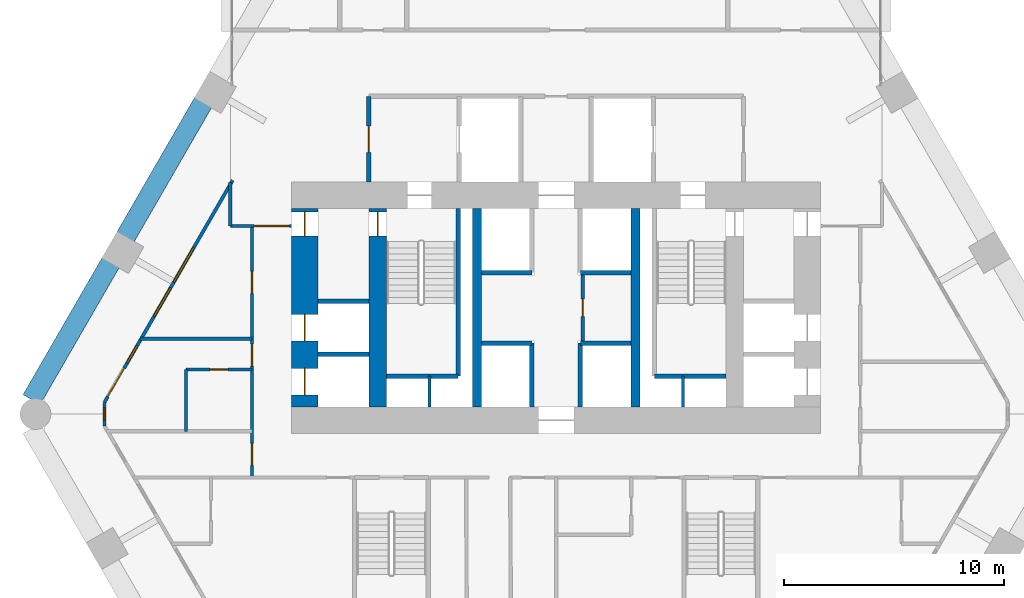
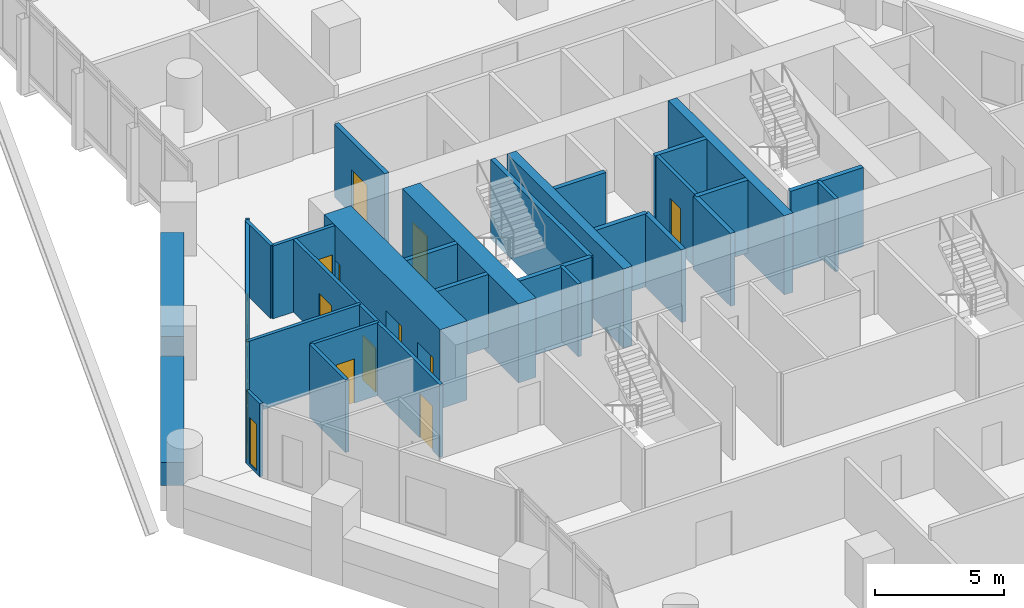
# One storey, part 32 of 38: 29 walls, 12 doors, 4 windows, 16 openings.
"""IFC4 building model written with IfcOpenShell, lengths in metres."""

from ifc_helpers import new_model, si_unit, direction, frame, frame_2d, origin, place, context, subcontext, project, spatial, rectangle, extrude, material, layer, layer_set, type_object, element, fill, save


model = new_model("IFC4")

# Units and contexts
model_context = context("Model", 3, precision=1e-05, world=origin(), true_north=direction((0.0, 1.0)))
body_context = subcontext(model_context, "Body", "Model", "MODEL_VIEW")
ifc_project = project(units=[si_unit("LENGTHUNIT", "METRE"), si_unit("AREAUNIT", "SQUARE_METRE"), si_unit("VOLUMEUNIT", "CUBIC_METRE"), si_unit("PLANEANGLEUNIT", "RADIAN"), si_unit("MASSUNIT", "GRAM", prefix="KILO")], contexts=[model_context])

# Site, building, storey
site_placement = place(None, origin())
site = spatial("IfcSite", under=ifc_project, at=site_placement, CompositionType="ELEMENT")
building_placement = place(site_placement, origin())
building = spatial("IfcBuilding", under=site, at=building_placement, Name="Ostrander Bayou Hotel Tower", CompositionType="ELEMENT")
storey_placement = place(building_placement, frame((0.0, 0.0, 65.5)))
storey = spatial("IfcBuildingStorey", under=building, at=storey_placement, Name="L16", CompositionType="ELEMENT", Elevation=65.5)

# Wall, openings, doors
ifc_material_1 = material(Name="Concrete f'c 70 MPa", Category="concrete")
ifc_layer_1 = layer(ifc_material_1, 1.199951171875)
ifc_layer_set_1 = layer_set([ifc_layer_1], Name="CW1 core wall 1200 mm f'c 70 MPa")
wall_type_1 = type_object("IfcWallType", Name="CW1 core wall 1200 mm f'c 70 MPa", PredefinedType="SHEAR", material=ifc_layer_set_1)
wall_1_placement = place(storey_placement, frame((-11.39990234375, -0.5, -0.300048828125), z_axis=(0.0, 0.0, 1.0), x_axis=(0.0, 1.0, 0.0)))
wall_1 = element("IfcWall", 1, at=wall_1_placement, inside=storey, type_object=wall_type_1, Name="CW1 L16 RW", PredefinedType="SHEAR", context=body_context, shape_type="SweptSolid", body=[
    extrude(rectangle(XDim=9.0, YDim=1.199951171875, at=frame_2d((4.5, 0.0))), origin(), (0.0, 0.0, 1.0), 3.75),
])
opening_1_placement = place(wall_1_placement, frame((7.75, 0.0, 0.0)))
opening_1 = element("IfcOpeningElement", 2, at=opening_1_placement, cuts=wall_1, Name="Opening T16-015", PredefinedType="OPENING", context=body_context, shape_type="SweptSolid", body=[
    extrude(rectangle(XDim=1.10009765625, YDim=2.10009765625, at=frame_2d((0.550048828125, 1.050048828125))), frame((0.0, 0.60009765625, 0.0), z_axis=(0.0, -1.0, 0.0), x_axis=(1.0, 0.0, 0.0)), (0.0, 0.0, 1.0), 1.199951171875),
])
opening_2_placement = place(wall_1_placement, frame((0.550048828125, 0.0, 0.0)))
opening_2 = element("IfcOpeningElement", 3, at=opening_2_placement, cuts=wall_1, Name="Opening T16-016", PredefinedType="OPENING", context=body_context, shape_type="SweptSolid", body=[
    extrude(rectangle(XDim=1.199951171875, YDim=2.10009765625, at=frame_2d((0.60009765625, 1.050048828125))), frame((0.0, 0.60009765625, 0.0), z_axis=(0.0, -1.0, 0.0), x_axis=(1.0, 0.0, 0.0)), (0.0, 0.0, 1.0), 1.199951171875),
])
opening_3_placement = place(wall_1_placement, frame((3.0, 0.0, 0.0)))
opening_3 = element("IfcOpeningElement", 4, at=opening_3_placement, cuts=wall_1, Name="Opening T16-017", PredefinedType="OPENING", context=body_context, shape_type="SweptSolid", body=[
    extrude(rectangle(XDim=1.199951171875, YDim=2.10009765625, at=frame_2d((0.60009765625, 1.050048828125))), frame((0.0, 0.60009765625, 0.0), z_axis=(0.0, -1.0, 0.0), x_axis=(1.0, 0.0, 0.0)), (0.0, 0.0, 1.0), 1.199951171875),
])
ifc_material_2 = material(Name="Timber door leaf", Category="wood")
door_type_1 = type_object("IfcDoorType", Name="D5 stair door 1100 x 2100 mm, 90 minute", OperationType="SINGLE_SWING_LEFT", PredefinedType="DOOR", material=ifc_material_2)
door_1_placement = place(opening_1_placement, origin())
door_1 = element("IfcDoor", 5, at=door_1_placement, inside=storey, type_object=door_type_1, Name="dr:L16:015", OperationType="SINGLE_SWING_LEFT", OverallHeight=2.10009765625, OverallWidth=1.10009765625, PredefinedType="DOOR", context=body_context, shape_type="SweptSolid", body=[
    extrude(rectangle(XDim=1.10009765625, YDim=2.10009765625, at=frame_2d((0.550048828125, 1.050048828125))), frame((0.0, 0.02490234375, 0.0), z_axis=(0.0, -1.0, 0.0), x_axis=(1.0, 0.0, 0.0)), (0.0, 0.0, 1.0), 0.050048828125),
])
fill(opening_1, door_1)
ifc_material_3 = material(Name="Stainless steel sliding door", Category="steel")
door_type_2 = type_object("IfcDoorType", Name="LD1 lift landing door 1200 x 2100 mm", OperationType="SINGLE_SWING_LEFT", PredefinedType="DOOR", material=ifc_material_3)
door_2_placement = place(opening_2_placement, origin())
door_2 = element("IfcDoor", 6, at=door_2_placement, inside=storey, type_object=door_type_2, Name="dr:L16:016", OperationType="SLIDING_TO_LEFT", OverallHeight=2.10009765625, OverallWidth=1.199951171875, PredefinedType="DOOR", context=body_context, shape_type="SweptSolid", body=[
    extrude(rectangle(XDim=1.199951171875, YDim=2.10009765625, at=frame_2d((0.60009765625, 1.050048828125))), frame((0.0, 0.02490234375, 0.0), z_axis=(0.0, -1.0, 0.0), x_axis=(1.0, 0.0, 0.0)), (0.0, 0.0, 1.0), 0.050048828125),
])
fill(opening_2, door_2)
door_3_placement = place(opening_3_placement, origin())
door_3 = element("IfcDoor", 7, at=door_3_placement, inside=storey, type_object=door_type_2, Name="dr:L16:017", OperationType="SLIDING_TO_LEFT", OverallHeight=2.10009765625, OverallWidth=1.199951171875, PredefinedType="DOOR", context=body_context, shape_type="SweptSolid", body=[
    extrude(rectangle(XDim=1.199951171875, YDim=2.10009765625, at=frame_2d((0.60009765625, 1.050048828125))), frame((0.0, 0.02490234375, 0.0), z_axis=(0.0, -1.0, 0.0), x_axis=(1.0, 0.0, 0.0)), (0.0, 0.0, 1.0), 0.050048828125),
])
fill(opening_3, door_3)

# Wall, opening, door
ifc_material_4 = material(Name="Concrete f'c 70 MPa", Category="concrete")
ifc_layer_2 = layer(ifc_material_4, 0.800048828125)
ifc_layer_set_2 = layer_set([ifc_layer_2], Name="CW2 core spine wall 800 mm f'c 70 MPa")
wall_type_2 = type_object("IfcWallType", Name="CW2 core spine wall 800 mm f'c 70 MPa", PredefinedType="SHEAR", material=ifc_layer_set_2)
wall_2_placement = place(storey_placement, frame((-8.10009765625, -0.5, -0.300048828125), z_axis=(0.0, 0.0, 1.0), x_axis=(0.0, 1.0, 0.0)))
wall_2 = element("IfcWall", 8, at=wall_2_placement, inside=storey, type_object=wall_type_2, Name="CW2 L16 W", PredefinedType="SHEAR", context=body_context, shape_type="SweptSolid", body=[
    extrude(rectangle(XDim=9.0, YDim=0.800048828125, at=frame_2d((4.5, 0.0))), origin(), (0.0, 0.0, 1.0), 3.75),
])
opening_4_placement = place(wall_2_placement, frame((7.75, 0.0, 0.0)))
opening_4 = element("IfcOpeningElement", 9, at=opening_4_placement, cuts=wall_2, Name="Opening T16-004", PredefinedType="OPENING", context=body_context, shape_type="SweptSolid", body=[
    extrude(rectangle(XDim=1.10009765625, YDim=2.10009765625, at=frame_2d((0.550048828125, 1.050048828125))), frame((0.0, 0.39990234375, 0.0), z_axis=(0.0, -1.0, 0.0), x_axis=(1.0, 0.0, 0.0)), (0.0, 0.0, 1.0), 0.800048828125),
])
door_4_placement = place(opening_4_placement, origin())
door_4 = element("IfcDoor", 10, at=door_4_placement, inside=storey, type_object=door_type_1, Name="dr:L16:004", OperationType="SINGLE_SWING_RIGHT", OverallHeight=2.10009765625, OverallWidth=1.10009765625, PredefinedType="DOOR", context=body_context, shape_type="SweptSolid", body=[
    extrude(rectangle(XDim=1.10009765625, YDim=2.10009765625, at=frame_2d((0.550048828125, 1.050048828125))), frame((0.0, 0.02490234375, 0.0), z_axis=(0.0, -1.0, 0.0), x_axis=(1.0, 0.0, 0.0)), (0.0, 0.0, 1.0), 0.050048828125),
])
fill(opening_4, door_4)

# Walls
ifc_material_5 = material(Name="Concrete f'c 70 MPa", Category="concrete")
ifc_layer_3 = layer(ifc_material_5, 0.39990234375)
ifc_layer_set_3 = layer_set([ifc_layer_3], Name="CW3 core bank wall 400 mm f'c 70 MPa")
wall_type_3 = type_object("IfcWallType", Name="CW3 core bank wall 400 mm f'c 70 MPa", PredefinedType="SHEAR", material=ifc_layer_set_3)
for number, where, z_axis, x_axis, name in (
    (11, (-3.60009765625, -0.5, -0.300048828125), (0.0, 0.0, 1.0), (0.0, 1.0, 0.0), "CW3 L16 CW"),
    (12, (3.60009765625, -0.5, -0.300048828125), (0.0, 0.0, 1.0), (0.0, 1.0, 0.0), "CW3 L16 CE"),
):
    element("IfcWall", number, at=place(storey_placement, frame(where, z_axis=z_axis, x_axis=x_axis)), inside=storey, type_object=wall_type_3, Name=name, PredefinedType="SHEAR", context=body_context, shape_type="SweptSolid", body=[
        extrude(rectangle(XDim=9.0, YDim=0.39990234375, at=frame_2d((4.5, 0.0))), origin(), (0.0, 0.0, 1.0), 3.75),
    ])

# Wall, openings, door, windows
ifc_material_6 = material(Name="Aluminium framed insulated wall", Category="aluminium")
ifc_layer_4 = layer(ifc_material_6, 0.14990234375)
ifc_layer_set_4 = layer_set([ifc_layer_4], Name="GW1 glass-line wall 150 mm")
wall_type_4 = type_object("IfcWallType", Name="GW1 glass-line wall 150 mm", PredefinedType="SOLIDWALL", material=ifc_layer_set_4)
wall_3_placement = place(storey_placement, frame((-14.678955078125, 9.788818359375, 0.0), z_axis=(0.0, 0.0, 1.0), x_axis=(-0.500001004067, -0.866024824085, 0.0)))
wall_3 = element("IfcWall", 13, at=wall_3_placement, inside=storey, type_object=wall_type_4, Name="GW1 L16 NW 1", PredefinedType="SOLIDWALL", context=body_context, shape_type="SweptSolid", body=[
    extrude(rectangle(XDim=11.63330078125, YDim=0.14990234375, at=frame_2d((5.816650390625, 0.0))), origin(), (0.0, 0.0, 1.0), 3.449951171875),
])
opening_5_placement = place(wall_3_placement, frame((3.537841796875, 0.0, 0.14990234375)))
opening_5 = element("IfcOpeningElement", 14, at=opening_5_placement, cuts=wall_3, Name="Opening W7", PredefinedType="OPENING", context=body_context, shape_type="SweptSolid", body=[
    extrude(rectangle(XDim=1.800048828125, YDim=2.199951171875, at=frame_2d((0.89990234375, 1.10009765625))), frame((0.0, 0.074951171875, 0.0), z_axis=(0.0, -1.0, 0.0), x_axis=(1.0, 0.0, 0.0)), (0.0, 0.0, 1.0), 0.14990234375),
])
opening_6_placement = place(wall_3_placement, frame((5.637939453125, 0.0, 0.14990234375)))
opening_6 = element("IfcOpeningElement", 15, at=opening_6_placement, cuts=wall_3, Name="Opening W11", PredefinedType="OPENING", context=body_context, shape_type="SweptSolid", body=[
    extrude(rectangle(XDim=1.5, YDim=2.199951171875, at=frame_2d((0.75, 1.10009765625))), frame((0.0, 0.074951171875, 0.0), z_axis=(0.0, -1.0, 0.0), x_axis=(1.0, 0.0, 0.0)), (0.0, 0.0, 1.0), 0.14990234375),
])
opening_7_placement = place(wall_3_placement, frame((8.6767578125, 0.0, 0.14990234375)))
opening_7 = element("IfcOpeningElement", 16, at=opening_7_placement, cuts=wall_3, Name="Opening W15", PredefinedType="OPENING", context=body_context, shape_type="SweptSolid", body=[
    extrude(rectangle(XDim=0.89990234375, YDim=2.199951171875, at=frame_2d((0.449951171875, 1.10009765625))), frame((0.0, 0.074951171875, 0.0), z_axis=(0.0, -1.0, 0.0), x_axis=(1.0, 0.0, 0.0)), (0.0, 0.0, 1.0), 0.14990234375),
])
opening_8_placement = place(wall_3_placement, frame((9.837890625, 0.0, 0.0)))
opening_8 = element("IfcOpeningElement", 17, at=opening_8_placement, cuts=wall_3, Name="Opening T16-800", PredefinedType="OPENING", context=body_context, shape_type="SweptSolid", body=[
    extrude(rectangle(XDim=1.5, YDim=2.39990234375, at=frame_2d((0.75, 1.199951171875))), frame((0.0, 0.074951171875, 0.0), z_axis=(0.0, -1.0, 0.0), x_axis=(1.0, 0.0, 0.0)), (0.0, 0.0, 1.0), 0.14990234375),
])
ifc_material_7 = material(Name="Aluminium and clear glass", Category="aluminium")
door_type_3 = type_object("IfcDoorType", Name="SD1 sliding glass door 1500 mm, zone 1", OperationType="SLIDING_TO_LEFT", PredefinedType="DOOR", material=ifc_material_7)
door_5_placement = place(opening_8_placement, origin())
door_5 = element("IfcDoor", 18, at=door_5_placement, inside=storey, type_object=door_type_3, Name="SD1 L16 NW 5", OperationType="SLIDING_TO_LEFT", OverallHeight=2.39990234375, OverallWidth=1.5, PredefinedType="DOOR", context=body_context, shape_type="SweptSolid", body=[
    extrude(rectangle(XDim=1.5, YDim=2.39990234375, at=frame_2d((0.75, 1.199951171875))), frame((0.0, 0.02490234375, 0.0), z_axis=(0.0, -1.0, 0.0), x_axis=(1.0, 0.0, 0.0)), (0.0, 0.0, 1.0), 0.050048828125),
])
fill(opening_8, door_5)
ifc_material_8 = material(Name="Aluminium and clear glass", Category="aluminium")
window_type_1 = type_object("IfcWindowType", Name="W11 fixed window 1500 mm, bath bay, zone 1", PartitioningType="SINGLE_PANEL", PredefinedType="WINDOW", material=ifc_material_8)
window_1_placement = place(opening_6_placement, origin())
window_1 = element("IfcWindow", 19, at=window_1_placement, inside=storey, type_object=window_type_1, Name="W11 L16 NW 4", OverallHeight=2.199951171875, OverallWidth=1.5, PartitioningType="SINGLE_PANEL", PredefinedType="WINDOW", context=body_context, shape_type="SweptSolid", body=[
    extrude(rectangle(XDim=1.5, YDim=2.199951171875, at=frame_2d((0.75, 1.10009765625))), frame((0.0, 0.030029296875, 0.0), z_axis=(0.0, -1.0, 0.0), x_axis=(1.0, 0.0, 0.0)), (0.0, 0.0, 1.0), 0.06005859375),
])
fill(opening_6, window_1)
ifc_material_9 = material(Name="Aluminium and clear glass", Category="aluminium")
window_type_2 = type_object("IfcWindowType", Name="W15 window 900 mm, zone 1", PartitioningType="SINGLE_PANEL", PredefinedType="WINDOW", material=ifc_material_9)
window_2_placement = place(opening_7_placement, origin())
window_2 = element("IfcWindow", 20, at=window_2_placement, inside=storey, type_object=window_type_2, Name="W15 L16 NW 5", OverallHeight=2.199951171875, OverallWidth=0.89990234375, PartitioningType="SINGLE_PANEL", PredefinedType="WINDOW", context=body_context, shape_type="SweptSolid", body=[
    extrude(rectangle(XDim=0.89990234375, YDim=2.199951171875, at=frame_2d((0.449951171875, 1.10009765625))), frame((0.0, 0.030029296875, 0.0), z_axis=(0.0, -1.0, 0.0), x_axis=(1.0, 0.0, 0.0)), (0.0, 0.0, 1.0), 0.06005859375),
])
fill(opening_7, window_2)
ifc_material_10 = material(Name="Aluminium and clear glass", Category="aluminium")
window_type_3 = type_object("IfcWindowType", Name="W7 fixed window 1800 mm, bar storeys, zone 1", PartitioningType="SINGLE_PANEL", PredefinedType="WINDOW", material=ifc_material_10)
window_3_placement = place(opening_5_placement, origin())
window_3 = element("IfcWindow", 21, at=window_3_placement, inside=storey, type_object=window_type_3, Name="W7 L16 NW 4", OverallHeight=2.199951171875, OverallWidth=1.800048828125, PartitioningType="SINGLE_PANEL", PredefinedType="WINDOW", context=body_context, shape_type="SweptSolid", body=[
    extrude(rectangle(XDim=1.800048828125, YDim=2.199951171875, at=frame_2d((0.89990234375, 1.10009765625))), frame((0.0, 0.030029296875, 0.0), z_axis=(0.0, -1.0, 0.0), x_axis=(1.0, 0.0, 0.0)), (0.0, 0.0, 1.0), 0.06005859375),
])
fill(opening_5, window_3)

# Wall, opening, window
wall_4_placement = place(storey_placement, frame((-20.49560546875, -0.285888671875, 0.0), z_axis=(0.0, 0.0, 1.0), x_axis=(0.0, -1.0, 0.0)))
wall_4 = element("IfcWall", 22, at=wall_4_placement, inside=storey, type_object=wall_type_4, Name="GW1 L16 corner 2", PredefinedType="SOLIDWALL", context=body_context, shape_type="SweptSolid", body=[
    extrude(rectangle(XDim=1.06494140625, YDim=0.14990234375, at=frame_2d((0.532470703125, 0.0))), origin(), (0.0, 0.0, 1.0), 3.449951171875),
])
opening_9_placement = place(wall_4_placement, frame((0.257568359375, 0.0, 0.14990234375)))
opening_9 = element("IfcOpeningElement", 23, at=opening_9_placement, cuts=wall_4, Name="Opening W19", PredefinedType="OPENING", context=body_context, shape_type="SweptSolid", body=[
    extrude(rectangle(XDim=0.550048828125, YDim=2.199951171875, at=frame_2d((0.27490234375, 1.10009765625))), frame((0.0, 0.074951171875, 0.0), z_axis=(0.0, -1.0, 0.0), x_axis=(1.0, 0.0, 0.0)), (0.0, 0.0, 1.0), 0.14990234375),
])
ifc_material_11 = material(Name="Aluminium and clear glass", Category="aluminium")
window_type_4 = type_object("IfcWindowType", Name="W19 corner window 550 mm", PartitioningType="SINGLE_PANEL", PredefinedType="WINDOW", material=ifc_material_11)
window_4_placement = place(opening_9_placement, origin())
window_4 = element("IfcWindow", 24, at=window_4_placement, inside=storey, type_object=window_type_4, Name="W19 L16 corner 2", OverallHeight=2.199951171875, OverallWidth=0.550048828125, PartitioningType="SINGLE_PANEL", PredefinedType="WINDOW", context=body_context, shape_type="SweptSolid", body=[
    extrude(rectangle(XDim=0.550048828125, YDim=2.199951171875, at=frame_2d((0.27490234375, 1.10009765625))), frame((0.0, 0.030029296875, 0.0), z_axis=(0.0, -1.0, 0.0), x_axis=(1.0, 0.0, 0.0)), (0.0, 0.0, 1.0), 0.06005859375),
])
fill(opening_9, window_4)

# Walls
ifc_material_12 = material(Name="Concrete f'c 40 MPa", Category="concrete")
ifc_layer_5 = layer(ifc_material_12, 0.89990234375)
ifc_layer_set_5 = layer_set([ifc_layer_5], Name="PA1 stone-faced parapet 900 mm")
wall_type_5 = type_object("IfcWallType", Name="PA1 stone-faced parapet 900 mm", PredefinedType="PARAPET", material=ifc_layer_set_5)
wall_5_placement = place(storey_placement, frame((-16.018310546875, 13.319091796875, 0.0), z_axis=(0.0, 0.0, 1.0), x_axis=(-0.499997206141, -0.866027016814, 0.0)))
element("IfcWall", 25, at=wall_5_placement, inside=storey, type_object=wall_type_5, Name="PA1 L16 NW-2", PredefinedType="PARAPET", context=body_context, shape_type="SweptSolid", body=[
    extrude(rectangle(XDim=7.05078125, YDim=0.89990234375, at=frame_2d((3.525390625, 0.0))), origin(), (0.0, 0.0, 1.0), 1.10009765625),
])
wall_6_placement = place(storey_placement, frame((-20.213623046875, 6.05224609375, 0.0), z_axis=(0.0, 0.0, 1.0), x_axis=(-0.500014005679, -0.866017317451, 0.0)))
element("IfcWall", 26, at=wall_6_placement, inside=storey, type_object=wall_type_5, Name="PA1 L16 NW-3", PredefinedType="PARAPET", context=body_context, shape_type="SweptSolid", body=[
    extrude(rectangle(XDim=7.176025390625, YDim=0.89990234375, at=frame_2d((3.587890625, 0.0))), origin(), (0.0, 0.0, 1.0), 1.10009765625),
])

# Wall, opening, door
ifc_material_13 = material(Name="Masonry block", Category="masonry")
ifc_layer_6 = layer(ifc_material_13, 0.199951171875)
ifc_layer_set_6 = layer_set([ifc_layer_6], Name="PT5 stair enclosure wall 200 mm masonry, 2 hour")
wall_type_6 = type_object("IfcWallType", Name="PT5 stair enclosure wall 200 mm masonry, 2 hour", PredefinedType="PARTITIONING", material=ifc_layer_set_6)
wall_7_placement = place(storey_placement, frame((-8.5, 9.699951171875, 0.0), z_axis=(0.0, 0.0, 1.0), x_axis=(0.0, 1.0, 0.0)))
wall_7 = element("IfcWall", 27, at=wall_7_placement, inside=storey, type_object=wall_type_6, Name="cs:L16:024", PredefinedType="PARTITIONING", context=body_context, shape_type="SweptSolid", body=[
    extrude(rectangle(XDim=3.900146484375, YDim=0.199951171875, at=frame_2d((1.9501953125, 0.0))), origin(), (0.0, 0.0, 1.0), 3.449951171875),
])
opening_10_placement = place(wall_7_placement, frame((1.35009765625, 0.0, 0.0)))
opening_10 = element("IfcOpeningElement", 28, at=opening_10_placement, cuts=wall_7, Name="Opening T16-010", PredefinedType="OPENING", context=body_context, shape_type="SweptSolid", body=[
    extrude(rectangle(XDim=1.199951171875, YDim=2.10009765625, at=frame_2d((0.60009765625, 1.050048828125))), frame((0.0, 0.10009765625, 0.0), z_axis=(0.0, -1.0, 0.0), x_axis=(1.0, 0.0, 0.0)), (0.0, 0.0, 1.0), 0.199951171875),
])
ifc_material_14 = material(Name="Timber door leaf", Category="wood")
door_type_4 = type_object("IfcDoorType", Name="D7 lobby door 1200 x 2100 mm, 1 hour", OperationType="SINGLE_SWING_LEFT", PredefinedType="DOOR", material=ifc_material_14)
door_6_placement = place(opening_10_placement, origin())
door_6 = element("IfcDoor", 29, at=door_6_placement, inside=storey, type_object=door_type_4, Name="dr:L16:010", OperationType="SINGLE_SWING_LEFT", OverallHeight=2.10009765625, OverallWidth=1.199951171875, PredefinedType="DOOR", context=body_context, shape_type="SweptSolid", body=[
    extrude(rectangle(XDim=1.199951171875, YDim=2.10009765625, at=frame_2d((0.60009765625, 1.050048828125))), frame((0.0, 0.02490234375, 0.0), z_axis=(0.0, -1.0, 0.0), x_axis=(1.0, 0.0, 0.0)), (0.0, 0.0, 1.0), 0.050048828125),
])
fill(opening_10, door_6)

# Walls
ifc_material_15 = material(Name="Masonry block", Category="masonry")
ifc_layer_7 = layer(ifc_material_15, 0.199951171875)
ifc_layer_set_7 = layer_set([ifc_layer_7], Name="PT6 lift shaft wall 200 mm masonry, 2 hour")
wall_type_7 = type_object("IfcWallType", Name="PT6 lift shaft wall 200 mm masonry, 2 hour", PredefinedType="PARTITIONING", material=ifc_layer_set_7)
for number, where, z_axis, x_axis, name in (
    (30, (-3.39990234375, 2.39990234375, 0.0), (0.0, 0.0, 1.0), (1.0, 0.0, 0.0), "cs:L16:001"),
    (31, (-3.39990234375, 5.60009765625, 0.0), (0.0, 0.0, 1.0), (1.0, 0.0, 0.0), "cs:L16:002"),
    (32, (1.10009765625, 2.39990234375, 0.0), (0.0, 0.0, 1.0), (1.0, 0.0, 0.0), "cs:L16:003"),
    (33, (1.10009765625, 5.60009765625, 0.0), (0.0, 0.0, 1.0), (1.0, 0.0, 0.0), "cs:L16:004"),
):
    element("IfcWall", number, at=place(storey_placement, frame(where, z_axis=z_axis, x_axis=x_axis)), inside=storey, type_object=wall_type_7, Name=name, PredefinedType="PARTITIONING", context=body_context, shape_type="SweptSolid", body=[
        extrude(rectangle(XDim=2.2998046875, YDim=0.199951171875, at=frame_2d((1.14990234375, 0.0))), origin(), (0.0, 0.0, 1.0), 3.449951171875),
    ])
for number, where, z_axis, x_axis, name in (
    (34, (-1.10009765625, -0.5, 0.0), (0.0, 0.0, 1.0), (0.0, 1.0, 0.0), "cs:L16:005"),
    (35, (1.10009765625, -0.5, 0.0), (0.0, 0.0, 1.0), (0.0, 1.0, 0.0), "cs:L16:006"),
):
    element("IfcWall", number, at=place(storey_placement, frame(where, z_axis=z_axis, x_axis=x_axis)), inside=storey, type_object=wall_type_7, Name=name, PredefinedType="PARTITIONING", context=body_context, shape_type="SweptSolid", body=[
        extrude(rectangle(XDim=2.89990234375, YDim=0.199951171875, at=frame_2d((1.449951171875, 0.0))), origin(), (0.0, 0.0, 1.0), 3.449951171875),
    ])
for number, where, z_axis, x_axis, name in (
    (36, (-10.800048828125, 1.89990234375, 0.0), (0.0, 0.0, 1.0), (1.0, 0.0, 0.0), "cs:L16:031"),
    (37, (-10.800048828125, 4.300048828125, 0.0), (0.0, 0.0, 1.0), (1.0, 0.0, 0.0), "cs:L16:032"),
):
    element("IfcWall", number, at=place(storey_placement, frame(where, z_axis=z_axis, x_axis=x_axis)), inside=storey, type_object=wall_type_7, Name=name, PredefinedType="PARTITIONING", context=body_context, shape_type="SweptSolid", body=[
        extrude(rectangle(XDim=2.300048828125, YDim=0.199951171875, at=frame_2d((1.14990234375, 0.0))), origin(), (0.0, 0.0, 1.0), 3.449951171875),
    ])
ifc_material_16 = material(Name="Gypsum board partition", Category="finish")
ifc_layer_8 = layer(ifc_material_16, 0.14990234375)
ifc_layer_set_8 = layer_set([ifc_layer_8], Name="PT7 riser wall 150 mm, 2 hour")
wall_type_8 = type_object("IfcWallType", Name="PT7 riser wall 150 mm, 2 hour", PredefinedType="PARTITIONING", material=ifc_layer_set_8)
for number, where, z_axis, x_axis, name in (
    (38, (-5.75, -0.5, 0.0), (0.0, 0.0, 1.0), (0.0, 1.0, 0.0), "cs:L16:011"),
    (39, (5.75, -0.5, 0.0), (0.0, 0.0, 1.0), (0.0, 1.0, 0.0), "cs:L16:014"),
):
    element("IfcWall", number, at=place(storey_placement, frame(where, z_axis=z_axis, x_axis=x_axis)), inside=storey, type_object=wall_type_8, Name=name, PredefinedType="PARTITIONING", context=body_context, shape_type="SweptSolid", body=[
        extrude(rectangle(XDim=1.39990234375, YDim=0.14990234375, at=frame_2d((0.699951171875, 0.0))), origin(), (0.0, 0.0, 1.0), 3.449951171875),
    ])

# Wall, opening, door
wall_8_placement = place(storey_placement, frame((1.199951171875, 2.5, 0.0), z_axis=(0.0, 0.0, 1.0), x_axis=(0.0, 1.0, 0.0)))
wall_8 = element("IfcWall", 40, at=wall_8_placement, inside=storey, type_object=wall_type_8, Name="cs:L16:030", PredefinedType="PARTITIONING", context=body_context, shape_type="SweptSolid", body=[
    extrude(rectangle(XDim=3.0, YDim=0.14990234375, at=frame_2d((1.5, 0.0))), origin(), (0.0, 0.0, 1.0), 3.449951171875),
])
opening_11_placement = place(wall_8_placement, frame((1.10009765625, 0.0, 0.0)))
opening_11 = element("IfcOpeningElement", 41, at=opening_11_placement, cuts=wall_8, Name="Opening T16-014", PredefinedType="OPENING", context=body_context, shape_type="SweptSolid", body=[
    extrude(rectangle(XDim=0.800048828125, YDim=2.10009765625, at=frame_2d((0.39990234375, 1.050048828125))), frame((0.0, 0.074951171875, 0.0), z_axis=(0.0, -1.0, 0.0), x_axis=(1.0, 0.0, 0.0)), (0.0, 0.0, 1.0), 0.14990234375),
])
ifc_material_17 = material(Name="Timber door leaf", Category="wood")
door_type_5 = type_object("IfcDoorType", Name="D6 riser door 800 x 2100 mm, 90 minute", OperationType="SINGLE_SWING_LEFT", PredefinedType="DOOR", material=ifc_material_17)
door_7_placement = place(opening_11_placement, origin())
door_7 = element("IfcDoor", 42, at=door_7_placement, inside=storey, type_object=door_type_5, Name="dr:L16:014", OperationType="SINGLE_SWING_RIGHT", OverallHeight=2.10009765625, OverallWidth=0.800048828125, PredefinedType="DOOR", context=body_context, shape_type="SweptSolid", body=[
    extrude(rectangle(XDim=0.800048828125, YDim=2.10009765625, at=frame_2d((0.39990234375, 1.050048828125))), frame((0.0, 0.02490234375, 0.0), z_axis=(0.0, -1.0, 0.0), x_axis=(1.0, 0.0, 0.0)), (0.0, 0.0, 1.0), 0.050048828125),
])
fill(opening_11, door_7)

ifc_material_18 = material(Name="Gypsum board partition", Category="finish")
ifc_layer_9 = layer(ifc_material_18, 0.14990234375)
ifc_layer_set_9 = layer_set([ifc_layer_9], Name="PT8 service band wall 150 mm, 1 hour")
wall_type_9 = type_object("IfcWallType", Name="PT8 service band wall 150 mm, 1 hour", PredefinedType="PARTITIONING", material=ifc_layer_set_9)
wall_9_placement = place(storey_placement, frame((-16.800048828125, 1.199951171875, 0.0), z_axis=(0.0, 0.0, 1.0), x_axis=(1.0, 0.0, 0.0)))
wall_9 = element("IfcWall", 43, at=wall_9_placement, inside=storey, type_object=wall_type_9, Name="gw:L16:013", PredefinedType="PARTITIONING", context=body_context, shape_type="SweptSolid", body=[
    extrude(rectangle(XDim=3.0, YDim=0.14990234375, at=frame_2d((1.5, 0.0))), origin(), (0.0, 0.0, 1.0), 3.449951171875),
])
opening_12_placement = place(wall_9_placement, frame((1.10009765625, 0.0, 0.0)))
opening_12 = element("IfcOpeningElement", 44, at=opening_12_placement, cuts=wall_9, Name="Opening T16-409", PredefinedType="OPENING", context=body_context, shape_type="SweptSolid", body=[
    extrude(rectangle(XDim=0.800048828125, YDim=2.10009765625, at=frame_2d((0.39990234375, 1.050048828125))), frame((0.0, 0.074951171875, 0.0), z_axis=(0.0, -1.0, 0.0), x_axis=(1.0, 0.0, 0.0)), (0.0, 0.0, 1.0), 0.14990234375),
])
ifc_material_19 = material(Name="Timber door leaf", Category="wood")
door_type_6 = type_object("IfcDoorType", Name="D2 bathroom door 800 x 2100 mm", OperationType="SINGLE_SWING_LEFT", PredefinedType="DOOR", material=ifc_material_19)
door_8_placement = place(opening_12_placement, origin())
door_8 = element("IfcDoor", 45, at=door_8_placement, inside=storey, type_object=door_type_6, Name="dr:L16:409", OperationType="SINGLE_SWING_RIGHT", OverallHeight=2.10009765625, OverallWidth=0.800048828125, PredefinedType="DOOR", context=body_context, shape_type="SweptSolid", body=[
    extrude(rectangle(XDim=0.800048828125, YDim=2.10009765625, at=frame_2d((0.39990234375, 1.050048828125))), frame((0.0, 0.02490234375, 0.0), z_axis=(0.0, -1.0, 0.0), x_axis=(1.0, 0.0, 0.0)), (0.0, 0.0, 1.0), 0.050048828125),
])
fill(opening_12, door_8)

# Wall
wall_10_placement = place(storey_placement, frame((-18.881103515625, 2.60009765625, 0.0), z_axis=(0.0, 0.0, 1.0), x_axis=(1.0, 0.0, 0.0)))
element("IfcWall", 46, at=wall_10_placement, inside=storey, type_object=wall_type_9, Name="gw:L16:015", PredefinedType="PARTITIONING", context=body_context, shape_type="SweptSolid", body=[
    extrude(rectangle(XDim=5.0810546875, YDim=0.14990234375, at=frame_2d((2.54052734375, 0.0))), origin(), (0.0, 0.0, 1.0), 3.449951171875),
])

# Wall, opening, door
wall_11_placement = place(storey_placement, frame((-14.784912109375, 7.715087890625, 0.0), z_axis=(0.0, 0.0, 1.0), x_axis=(1.0, 0.0, 0.0)))
wall_11 = element("IfcWall", 47, at=wall_11_placement, inside=storey, type_object=wall_type_9, Name="gw:L16:016", PredefinedType="PARTITIONING", context=body_context, shape_type="SweptSolid", body=[
    extrude(rectangle(XDim=2.77490234375, YDim=0.14990234375, at=frame_2d((1.387451171875, 0.0))), origin(), (0.0, 0.0, 1.0), 3.449951171875),
])
opening_13_placement = place(wall_11_placement, frame((1.074951171875, 0.0, 0.0)))
opening_13 = element("IfcOpeningElement", 48, at=opening_13_placement, cuts=wall_11, Name="Opening T16-1211", PredefinedType="OPENING", context=body_context, shape_type="SweptSolid", body=[
    extrude(rectangle(XDim=1.60009765625, YDim=2.10009765625, at=frame_2d((0.800048828125, 1.050048828125))), frame((0.0, 0.074951171875, 0.0), z_axis=(0.0, -1.0, 0.0), x_axis=(1.0, 0.0, 0.0)), (0.0, 0.0, 1.0), 0.14990234375),
])
ifc_material_20 = material(Name="Timber door leaf", Category="wood")
door_type_7 = type_object("IfcDoorType", Name="D13 double door 1600 x 2100 mm, 1 hour", OperationType="SINGLE_SWING_LEFT", PredefinedType="DOOR", material=ifc_material_20)
door_9_placement = place(opening_13_placement, origin())
door_9 = element("IfcDoor", 49, at=door_9_placement, inside=storey, type_object=door_type_7, Name="dr:L16:1211", OperationType="DOUBLE_DOOR_SINGLE_SWING", OverallHeight=2.10009765625, OverallWidth=1.60009765625, PredefinedType="DOOR", context=body_context, shape_type="SweptSolid", body=[
    extrude(rectangle(XDim=1.60009765625, YDim=2.10009765625, at=frame_2d((0.800048828125, 1.050048828125))), frame((0.0, 0.02490234375, 0.0), z_axis=(0.0, -1.0, 0.0), x_axis=(1.0, 0.0, 0.0)), (0.0, 0.0, 1.0), 0.050048828125),
])
fill(opening_13, door_9)

# Wall, openings, doors
wall_12_placement = place(storey_placement, frame((-13.800048828125, -3.699951171875, 0.0), z_axis=(0.0, 0.0, 1.0), x_axis=(0.0, 1.0, 0.0)))
wall_12 = element("IfcWall", 50, at=wall_12_placement, inside=storey, type_object=wall_type_9, Name="gw:L16:024", PredefinedType="PARTITIONING", context=body_context, shape_type="SweptSolid", body=[
    extrude(rectangle(XDim=11.4150390625, YDim=0.14990234375, at=frame_2d((5.70751953125, 0.0))), origin(), (0.0, 0.0, 1.0), 3.449951171875),
])
opening_14_placement = place(wall_12_placement, frame((0.550048828125, 0.0, 0.0)))
opening_14 = element("IfcOpeningElement", 51, at=opening_14_placement, cuts=wall_12, Name="Opening T16-407", PredefinedType="OPENING", context=body_context, shape_type="SweptSolid", body=[
    extrude(rectangle(XDim=1.0, YDim=2.10009765625, at=frame_2d((0.5, 1.050048828125))), frame((0.0, 0.074951171875, 0.0), z_axis=(0.0, -1.0, 0.0), x_axis=(1.0, 0.0, 0.0)), (0.0, 0.0, 1.0), 0.14990234375),
])
opening_15_placement = place(wall_12_placement, frame((5.050048828125, 0.0, 0.0)))
opening_15 = element("IfcOpeningElement", 52, at=opening_15_placement, cuts=wall_12, Name="Opening T16-408", PredefinedType="OPENING", context=body_context, shape_type="SweptSolid", body=[
    extrude(rectangle(XDim=1.0, YDim=2.10009765625, at=frame_2d((0.5, 1.050048828125))), frame((0.0, 0.074951171875, 0.0), z_axis=(0.0, -1.0, 0.0), x_axis=(1.0, 0.0, 0.0)), (0.0, 0.0, 1.0), 0.14990234375),
])
opening_16_placement = place(wall_12_placement, frame((8.35791015625, 0.0, 0.0)))
opening_16 = element("IfcOpeningElement", 53, at=opening_16_placement, cuts=wall_12, Name="Opening T16-410", PredefinedType="OPENING", context=body_context, shape_type="SweptSolid", body=[
    extrude(rectangle(XDim=1.0, YDim=2.10009765625, at=frame_2d((0.5, 1.050048828125))), frame((0.0, 0.074951171875, 0.0), z_axis=(0.0, -1.0, 0.0), x_axis=(1.0, 0.0, 0.0)), (0.0, 0.0, 1.0), 0.14990234375),
])
ifc_material_21 = material(Name="Timber door leaf", Category="wood")
door_type_8 = type_object("IfcDoorType", Name="D1 guest room door 1000 x 2100 mm, 30 minute", OperationType="SINGLE_SWING_LEFT", PredefinedType="DOOR", material=ifc_material_21)
door_10_placement = place(opening_15_placement, origin())
door_10 = element("IfcDoor", 54, at=door_10_placement, inside=storey, type_object=door_type_8, Name="dr:L16:408", OperationType="SINGLE_SWING_RIGHT", OverallHeight=2.10009765625, OverallWidth=1.0, PredefinedType="DOOR", context=body_context, shape_type="SweptSolid", body=[
    extrude(rectangle(XDim=1.0, YDim=2.10009765625, at=frame_2d((0.5, 1.050048828125))), frame((0.0, 0.02490234375, 0.0), z_axis=(0.0, -1.0, 0.0), x_axis=(1.0, 0.0, 0.0)), (0.0, 0.0, 1.0), 0.050048828125),
])
fill(opening_15, door_10)
ifc_material_22 = material(Name="Timber door leaf", Category="wood")
door_type_9 = type_object("IfcDoorType", Name="D9 service door 1000 x 2100 mm, 30 minute", OperationType="SINGLE_SWING_LEFT", PredefinedType="DOOR", material=ifc_material_22)
door_11_placement = place(opening_14_placement, origin())
door_11 = element("IfcDoor", 55, at=door_11_placement, inside=storey, type_object=door_type_9, Name="dr:L16:407", OperationType="SINGLE_SWING_LEFT", OverallHeight=2.10009765625, OverallWidth=1.0, PredefinedType="DOOR", context=body_context, shape_type="SweptSolid", body=[
    extrude(rectangle(XDim=1.0, YDim=2.10009765625, at=frame_2d((0.5, 1.050048828125))), frame((0.0, 0.02490234375, 0.0), z_axis=(0.0, -1.0, 0.0), x_axis=(1.0, 0.0, 0.0)), (0.0, 0.0, 1.0), 0.050048828125),
])
fill(opening_14, door_11)
door_12_placement = place(opening_16_placement, origin())
door_12 = element("IfcDoor", 56, at=door_12_placement, inside=storey, type_object=door_type_9, Name="dr:L16:410", OperationType="SINGLE_SWING_LEFT", OverallHeight=2.10009765625, OverallWidth=1.0, PredefinedType="DOOR", context=body_context, shape_type="SweptSolid", body=[
    extrude(rectangle(XDim=1.0, YDim=2.10009765625, at=frame_2d((0.5, 1.050048828125))), frame((0.0, 0.02490234375, 0.0), z_axis=(0.0, -1.0, 0.0), x_axis=(1.0, 0.0, 0.0)), (0.0, 0.0, 1.0), 0.050048828125),
])
fill(opening_16, door_12)

# Walls
wall_13_placement = place(storey_placement, frame((-14.784912109375, 7.715087890625, 0.0), z_axis=(0.0, 0.0, 1.0), x_axis=(0.0, 1.0, 0.0)))
element("IfcWall", 57, at=wall_13_placement, inside=storey, type_object=wall_type_9, Name="gw:L16:026", PredefinedType="PARTITIONING", context=body_context, shape_type="SweptSolid", body=[
    extrude(rectangle(XDim=1.97998046875, YDim=0.14990234375, at=frame_2d((0.989990234375, 0.0))), origin(), (0.0, 0.0, 1.0), 3.449951171875),
])
wall_14_placement = place(storey_placement, frame((-16.800048828125, -1.60009765625, 0.0), z_axis=(0.0, 0.0, 1.0), x_axis=(0.0, 1.0, 0.0)))
element("IfcWall", 58, at=wall_14_placement, inside=storey, type_object=wall_type_9, Name="gw:L16:028", PredefinedType="PARTITIONING", context=body_context, shape_type="SweptSolid", body=[
    extrude(rectangle(XDim=2.800048828125, YDim=0.14990234375, at=frame_2d((1.39990234375, 0.0))), origin(), (0.0, 0.0, 1.0), 3.449951171875),
])
ifc_material_23 = material(Name="Concrete f'c 45 MPa", Category="concrete")
ifc_layer_10 = layer(ifc_material_23, 0.199951171875)
ifc_layer_set_10 = layer_set([ifc_layer_10], Name="SW5 stair enclosure wall 200 mm f'c 45 MPa")
wall_type_10 = type_object("IfcWallType", Name="SW5 stair enclosure wall 200 mm f'c 45 MPa", PredefinedType="SOLIDWALL", material=ifc_layer_set_10)
wall_15_placement = place(storey_placement, frame((-4.449951171875, 0.89990234375, -0.300048828125), z_axis=(0.0, 0.0, 1.0), x_axis=(0.0, 1.0, 0.0)))
element("IfcWall", 59, at=wall_15_placement, inside=storey, type_object=wall_type_10, Name="cs:L16:009", PredefinedType="SOLIDWALL", context=body_context, shape_type="SweptSolid", body=[
    extrude(rectangle(XDim=7.60009765625, YDim=0.199951171875, at=frame_2d((3.800048828125, 0.0))), origin(), (0.0, 0.0, 1.0), 3.75),
])
for number, where, z_axis, x_axis, name in (
    (60, (-7.699951171875, 0.89990234375, -0.300048828125), (0.0, 0.0, 1.0), (1.0, 0.0, 0.0), "cs:L16:010"),
    (61, (4.449951171875, 0.89990234375, -0.300048828125), (0.0, 0.0, 1.0), (1.0, 0.0, 0.0), "cs:L16:013"),
):
    element("IfcWall", number, at=place(storey_placement, frame(where, z_axis=z_axis, x_axis=x_axis)), inside=storey, type_object=wall_type_10, Name=name, PredefinedType="SOLIDWALL", context=body_context, shape_type="SweptSolid", body=[
        extrude(rectangle(XDim=3.25, YDim=0.199951171875, at=frame_2d((1.625, 0.0))), origin(), (0.0, 0.0, 1.0), 3.75),
    ])

save(model, "model.ifc")
